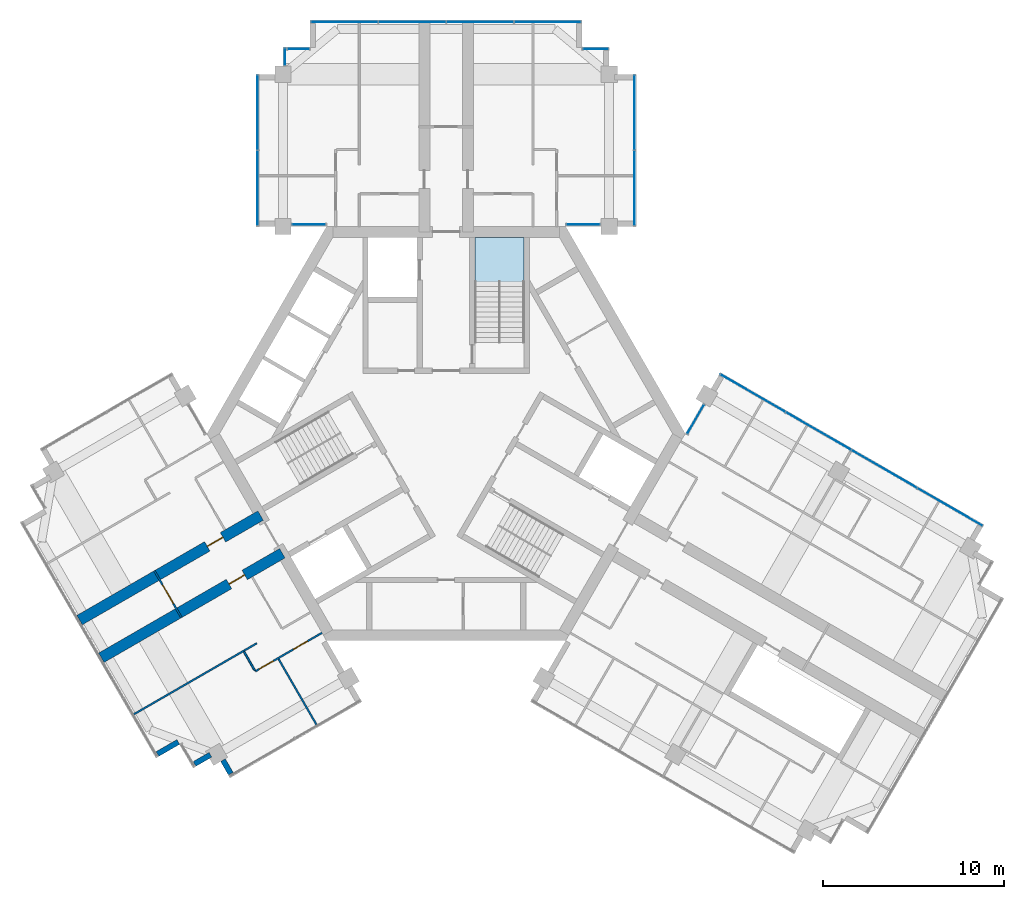
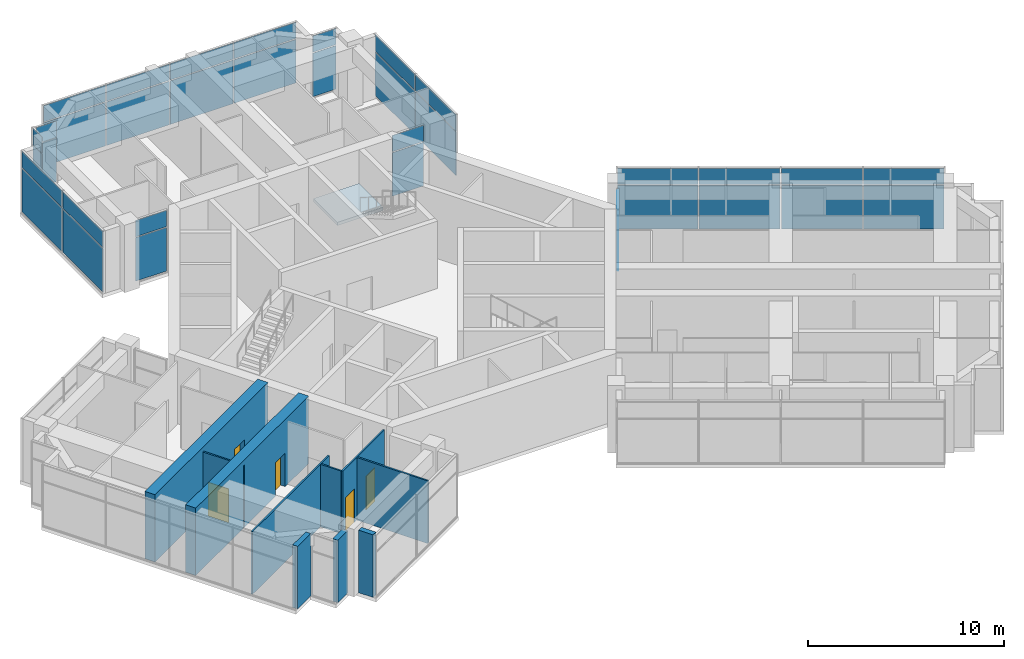
# One storey, part 8 of 14: 36 plates, 10 walls, 5 doors, 1 slab, 5 openings, 11 elements without a shape of their own.
"""IFC4 building model written with IfcOpenShell, lengths in metres."""

from ifc_helpers import new_model, si_unit, direction, frame, frame_2d, origin, origin_2d, place, context, subcontext, project, spatial, polyline, rectangle, outline, extrude, material, layer, layer_set, type_object, element, fill, aggregate, save


model = new_model("IFC4")

# Units and contexts
model_context = context("Model", 3, precision=1e-05, world=origin(), true_north=direction((0.0, 1.0)))
body_context = subcontext(model_context, "Body", "Model", "MODEL_VIEW")
ifc_project = project(units=[si_unit("LENGTHUNIT", "METRE"), si_unit("AREAUNIT", "SQUARE_METRE"), si_unit("VOLUMEUNIT", "CUBIC_METRE"), si_unit("PLANEANGLEUNIT", "RADIAN"), si_unit("MASSUNIT", "GRAM", prefix="KILO")], contexts=[model_context])

# Site, building, storey
site_placement = place(None, origin())
site = spatial("IfcSite", under=ifc_project, at=site_placement, CompositionType="ELEMENT")
building_placement = place(site_placement, origin())
building = spatial("IfcBuilding", under=site, at=building_placement, Name="Impinga Residences", CompositionType="ELEMENT")
storey_placement = place(building_placement, frame((0.0, 0.0, 291.550048828125)))
storey = spatial("IfcBuildingStorey", under=building, at=storey_placement, Name="L73", CompositionType="ELEMENT", Elevation=291.550048828125)

# Curtain wall, plates
ifc_material_1 = material(Name="Aluminium stick curtain wall", Category="aluminium")
curtain_wall_type = type_object("IfcCurtainWallType", Name="CW3 penthouse curtain wall", PredefinedType="USERDEFINED", material=ifc_material_1)
curtain_wall_1_placement = place(storey_placement, origin())
curtain_wall_1 = element("IfcCurtainWall", 1, at=curtain_wall_1_placement, inside=storey, type_object=curtain_wall_type, Name="Curtain wall CW3 L73", ObjectType="STICK CURTAIN WALL", PredefinedType="USERDEFINED")
ifc_material_2 = material(Name="Clear double glazing", Category="glass")
ifc_layer_1 = layer(ifc_material_2, 0.028076171875)
ifc_layer_set_1 = layer_set([ifc_layer_1], Name="CW3-P clear double glazed panel 28")
plate_type = type_object("IfcPlateType", Name="CW3-P clear double glazed panel 28", PredefinedType="CURTAIN_PANEL", material=ifc_layer_set_1)
plate_1_placement = place(storey_placement, frame((-7.573486328125, 11.531494140625, 0.06005859375), z_axis=(0.0, 0.0, 1.0), x_axis=(-1.0, 0.0, 0.0)))
plate_1 = element("IfcPlate", 2, at=plate_1_placement, type_object=plate_type, Name="CW3 panel 1.1", PredefinedType="CURTAIN_PANEL", context=body_context, shape_type="SweptSolid", body=[
    extrude(rectangle(XDim=1.826904296875, YDim=0.028076171875, at=origin_2d()), origin(), (0.0, 0.0, 1.0), 2.7099609375),
])
plate_2_placement = place(storey_placement, frame((-7.573486328125, 11.531494140625, 2.830078125), z_axis=(0.0, 0.0, 1.0), x_axis=(-1.0, 0.0, 0.0)))
plate_2 = element("IfcPlate", 3, at=plate_2_placement, type_object=plate_type, Name="CW3 panel 1.2", PredefinedType="CURTAIN_PANEL", context=body_context, shape_type="SweptSolid", body=[
    extrude(rectangle(XDim=1.826904296875, YDim=0.028076171875, at=origin_2d()), origin(), (0.0, 0.0, 1.0), 1.010009765625),
])
aggregate(curtain_wall_1, [plate_1, plate_2])

curtain_wall_2_placement = place(storey_placement, origin())
curtain_wall_2 = element("IfcCurtainWall", 4, at=curtain_wall_2_placement, inside=storey, type_object=curtain_wall_type, Name="Curtain wall CW3 L73", ObjectType="STICK CURTAIN WALL", PredefinedType="USERDEFINED")
plate_3_placement = place(storey_placement, frame((-10.39990234375, 13.546630859375, 0.06005859375), z_axis=(0.0, 0.0, 1.0), x_axis=(0.0, 1.0, 0.0)))
plate_3 = element("IfcPlate", 5, at=plate_3_placement, type_object=plate_type, Name="CW3 panel 1.1", PredefinedType="CURTAIN_PANEL", context=body_context, shape_type="SweptSolid", body=[
    extrude(rectangle(XDim=4.110107421875, YDim=0.028076171875, at=origin_2d()), origin(), (0.0, 0.0, 1.0), 2.7099609375),
])
plate_4_placement = place(storey_placement, frame((-10.39990234375, 13.546630859375, 2.830078125), z_axis=(0.0, 0.0, 1.0), x_axis=(0.0, 1.0, 0.0)))
plate_4 = element("IfcPlate", 6, at=plate_4_placement, type_object=plate_type, Name="CW3 panel 1.2", PredefinedType="CURTAIN_PANEL", context=body_context, shape_type="SweptSolid", body=[
    extrude(rectangle(XDim=4.110107421875, YDim=0.028076171875, at=origin_2d()), origin(), (0.0, 0.0, 1.0), 1.010009765625),
])
plate_5_placement = place(storey_placement, frame((-10.39990234375, 17.716552734375, 0.06005859375), z_axis=(0.0, 0.0, 1.0), x_axis=(0.0, 1.0, 0.0)))
plate_5 = element("IfcPlate", 7, at=plate_5_placement, type_object=plate_type, Name="CW3 panel 2.1", PredefinedType="CURTAIN_PANEL", context=body_context, shape_type="SweptSolid", body=[
    extrude(rectangle(XDim=4.110107421875, YDim=0.028076171875, at=origin_2d()), origin(), (0.0, 0.0, 1.0), 2.7099609375),
])
plate_6_placement = place(storey_placement, frame((-10.39990234375, 17.716552734375, 2.830078125), z_axis=(0.0, 0.0, 1.0), x_axis=(0.0, 1.0, 0.0)))
plate_6 = element("IfcPlate", 8, at=plate_6_placement, type_object=plate_type, Name="CW3 panel 2.2", PredefinedType="CURTAIN_PANEL", context=body_context, shape_type="SweptSolid", body=[
    extrude(rectangle(XDim=4.110107421875, YDim=0.028076171875, at=origin_2d()), origin(), (0.0, 0.0, 1.0), 1.010009765625),
])
aggregate(curtain_wall_2, [plate_3, plate_4, plate_5, plate_6])

curtain_wall_3_placement = place(storey_placement, origin())
curtain_wall_3 = element("IfcCurtainWall", 9, at=curtain_wall_3_placement, inside=storey, type_object=curtain_wall_type, Name="Curtain wall CW3 L73", ObjectType="STICK CURTAIN WALL", PredefinedType="USERDEFINED")
plate_7_placement = place(storey_placement, frame((-8.89990234375, 20.80810546875, 0.06005859375), z_axis=(0.0, 0.0, 1.0), x_axis=(0.0, 1.0, 0.0)))
plate_7 = element("IfcPlate", 10, at=plate_7_placement, type_object=plate_type, Name="CW3 panel 1.1", PredefinedType="CURTAIN_PANEL", context=body_context, shape_type="SweptSolid", body=[
    extrude(rectangle(XDim=0.927001953125, YDim=0.028076171875, at=origin_2d()), origin(), (0.0, 0.0, 1.0), 2.7099609375),
])
plate_8_placement = place(storey_placement, frame((-8.89990234375, 20.80810546875, 2.830078125), z_axis=(0.0, 0.0, 1.0), x_axis=(0.0, 1.0, 0.0)))
plate_8 = element("IfcPlate", 11, at=plate_8_placement, type_object=plate_type, Name="CW3 panel 1.2", PredefinedType="CURTAIN_PANEL", context=body_context, shape_type="SweptSolid", body=[
    extrude(rectangle(XDim=0.927001953125, YDim=0.028076171875, at=origin_2d()), origin(), (0.0, 0.0, 1.0), 1.010009765625),
])
aggregate(curtain_wall_3, [plate_7, plate_8])

curtain_wall_4_placement = place(storey_placement, origin())
curtain_wall_4 = element("IfcCurtainWall", 12, at=curtain_wall_4_placement, inside=storey, type_object=curtain_wall_type, Name="Curtain wall CW3 L73", ObjectType="STICK CURTAIN WALL", PredefinedType="USERDEFINED")
plate_9_placement = place(storey_placement, frame((-8.14990234375, 21.2314453125, 0.06005859375), z_axis=(0.0, 0.0, 1.0), x_axis=(1.0, 0.0, 0.0)))
plate_9 = element("IfcPlate", 13, at=plate_9_placement, type_object=plate_type, Name="CW3 panel 1.1", PredefinedType="CURTAIN_PANEL", context=body_context, shape_type="SweptSolid", body=[
    extrude(rectangle(XDim=1.179931640625, YDim=0.028076171875, at=origin_2d()), origin(), (0.0, 0.0, 1.0), 2.7099609375),
])
plate_10_placement = place(storey_placement, frame((-8.14990234375, 21.2314453125, 2.830078125), z_axis=(0.0, 0.0, 1.0), x_axis=(1.0, 0.0, 0.0)))
plate_10 = element("IfcPlate", 14, at=plate_10_placement, type_object=plate_type, Name="CW3 panel 1.2", PredefinedType="CURTAIN_PANEL", context=body_context, shape_type="SweptSolid", body=[
    extrude(rectangle(XDim=1.179931640625, YDim=0.028076171875, at=origin_2d()), origin(), (0.0, 0.0, 1.0), 1.010009765625),
])
aggregate(curtain_wall_4, [plate_9, plate_10])

curtain_wall_5_placement = place(storey_placement, origin())
curtain_wall_5 = element("IfcCurtainWall", 15, at=curtain_wall_5_placement, inside=storey, type_object=curtain_wall_type, Name="Curtain wall CW3 L73", ObjectType="STICK CURTAIN WALL", PredefinedType="USERDEFINED")
plate_11_placement = place(storey_placement, frame((-5.610107421875, 22.7314453125, 0.06005859375), z_axis=(0.0, 0.0, 1.0), x_axis=(1.0, 0.0, 0.0)))
plate_11 = element("IfcPlate", 16, at=plate_11_placement, type_object=plate_type, Name="CW3 panel 1.1", PredefinedType="CURTAIN_PANEL", context=body_context, shape_type="SweptSolid", body=[
    extrude(rectangle(XDim=3.659912109375, YDim=0.028076171875, at=origin_2d()), origin(), (0.0, 0.0, 1.0), 2.7099609375),
])
plate_12_placement = place(storey_placement, frame((-5.610107421875, 22.7314453125, 2.830078125), z_axis=(0.0, 0.0, 1.0), x_axis=(1.0, 0.0, 0.0)))
plate_12 = element("IfcPlate", 17, at=plate_12_placement, type_object=plate_type, Name="CW3 panel 1.2", PredefinedType="CURTAIN_PANEL", context=body_context, shape_type="SweptSolid", body=[
    extrude(rectangle(XDim=3.659912109375, YDim=0.028076171875, at=origin_2d()), origin(), (0.0, 0.0, 1.0), 1.010009765625),
])
plate_13_placement = place(storey_placement, frame((-1.875, 22.7314453125, 0.06005859375), z_axis=(0.0, 0.0, 1.0), x_axis=(1.0, 0.0, 0.0)))
plate_13 = element("IfcPlate", 18, at=plate_13_placement, type_object=plate_type, Name="CW3 panel 2.1", PredefinedType="CURTAIN_PANEL", context=body_context, shape_type="SweptSolid", body=[
    extrude(rectangle(XDim=3.68994140625, YDim=0.028076171875, at=origin_2d()), origin(), (0.0, 0.0, 1.0), 2.7099609375),
])
plate_14_placement = place(storey_placement, frame((-1.875, 22.7314453125, 2.830078125), z_axis=(0.0, 0.0, 1.0), x_axis=(1.0, 0.0, 0.0)))
plate_14 = element("IfcPlate", 19, at=plate_14_placement, type_object=plate_type, Name="CW3 panel 2.2", PredefinedType="CURTAIN_PANEL", context=body_context, shape_type="SweptSolid", body=[
    extrude(rectangle(XDim=3.68994140625, YDim=0.028076171875, at=origin_2d()), origin(), (0.0, 0.0, 1.0), 1.010009765625),
])
plate_15_placement = place(storey_placement, frame((1.875, 22.7314453125, 0.06005859375), z_axis=(0.0, 0.0, 1.0), x_axis=(1.0, 0.0, 0.0)))
plate_15 = element("IfcPlate", 20, at=plate_15_placement, type_object=plate_type, Name="CW3 panel 3.1", PredefinedType="CURTAIN_PANEL", context=body_context, shape_type="SweptSolid", body=[
    extrude(rectangle(XDim=3.68994140625, YDim=0.028076171875, at=origin_2d()), origin(), (0.0, 0.0, 1.0), 2.7099609375),
])
plate_16_placement = place(storey_placement, frame((1.875, 22.7314453125, 2.830078125), z_axis=(0.0, 0.0, 1.0), x_axis=(1.0, 0.0, 0.0)))
plate_16 = element("IfcPlate", 21, at=plate_16_placement, type_object=plate_type, Name="CW3 panel 3.2", PredefinedType="CURTAIN_PANEL", context=body_context, shape_type="SweptSolid", body=[
    extrude(rectangle(XDim=3.68994140625, YDim=0.028076171875, at=origin_2d()), origin(), (0.0, 0.0, 1.0), 1.010009765625),
])
plate_17_placement = place(storey_placement, frame((5.610107421875, 22.7314453125, 0.06005859375), z_axis=(0.0, 0.0, 1.0), x_axis=(1.0, 0.0, 0.0)))
plate_17 = element("IfcPlate", 22, at=plate_17_placement, type_object=plate_type, Name="CW3 panel 4.1", PredefinedType="CURTAIN_PANEL", context=body_context, shape_type="SweptSolid", body=[
    extrude(rectangle(XDim=3.659912109375, YDim=0.028076171875, at=origin_2d()), origin(), (0.0, 0.0, 1.0), 2.7099609375),
])
plate_18_placement = place(storey_placement, frame((5.610107421875, 22.7314453125, 2.830078125), z_axis=(0.0, 0.0, 1.0), x_axis=(1.0, 0.0, 0.0)))
plate_18 = element("IfcPlate", 23, at=plate_18_placement, type_object=plate_type, Name="CW3 panel 4.2", PredefinedType="CURTAIN_PANEL", context=body_context, shape_type="SweptSolid", body=[
    extrude(rectangle(XDim=3.659912109375, YDim=0.028076171875, at=origin_2d()), origin(), (0.0, 0.0, 1.0), 1.010009765625),
])
aggregate(curtain_wall_5, [plate_11, plate_12, plate_13, plate_14, plate_15, plate_16, plate_17, plate_18])

curtain_wall_6_placement = place(storey_placement, origin())
curtain_wall_6 = element("IfcCurtainWall", 24, at=curtain_wall_6_placement, inside=storey, type_object=curtain_wall_type, Name="Curtain wall CW3 L73", ObjectType="STICK CURTAIN WALL", PredefinedType="USERDEFINED")
plate_19_placement = place(storey_placement, frame((8.25, 21.2314453125, 0.06005859375), z_axis=(0.0, 0.0, 1.0), x_axis=(1.0, 0.0, 0.0)))
plate_19 = element("IfcPlate", 25, at=plate_19_placement, type_object=plate_type, Name="CW3 panel 1.1", PredefinedType="CURTAIN_PANEL", context=body_context, shape_type="SweptSolid", body=[
    extrude(rectangle(XDim=1.3798828125, YDim=0.028076171875, at=origin_2d()), origin(), (0.0, 0.0, 1.0), 2.7099609375),
])
plate_20_placement = place(storey_placement, frame((8.25, 21.2314453125, 2.830078125), z_axis=(0.0, 0.0, 1.0), x_axis=(1.0, 0.0, 0.0)))
plate_20 = element("IfcPlate", 26, at=plate_20_placement, type_object=plate_type, Name="CW3 panel 1.2", PredefinedType="CURTAIN_PANEL", context=body_context, shape_type="SweptSolid", body=[
    extrude(rectangle(XDim=1.3798828125, YDim=0.028076171875, at=origin_2d()), origin(), (0.0, 0.0, 1.0), 1.010009765625),
])
aggregate(curtain_wall_6, [plate_19, plate_20])

curtain_wall_7_placement = place(storey_placement, origin())
curtain_wall_7 = element("IfcCurtainWall", 27, at=curtain_wall_7_placement, inside=storey, type_object=curtain_wall_type, Name="Curtain wall CW3 L73", ObjectType="STICK CURTAIN WALL", PredefinedType="USERDEFINED")
plate_21_placement = place(storey_placement, frame((10.39990234375, 17.716552734375, 0.06005859375), z_axis=(0.0, 0.0, 1.0), x_axis=(0.0, -1.0, 0.0)))
plate_21 = element("IfcPlate", 28, at=plate_21_placement, type_object=plate_type, Name="CW3 panel 1.1", PredefinedType="CURTAIN_PANEL", context=body_context, shape_type="SweptSolid", body=[
    extrude(rectangle(XDim=4.110107421875, YDim=0.028076171875, at=origin_2d()), origin(), (0.0, 0.0, 1.0), 2.7099609375),
])
plate_22_placement = place(storey_placement, frame((10.39990234375, 17.716552734375, 2.830078125), z_axis=(0.0, 0.0, 1.0), x_axis=(0.0, -1.0, 0.0)))
plate_22 = element("IfcPlate", 29, at=plate_22_placement, type_object=plate_type, Name="CW3 panel 1.2", PredefinedType="CURTAIN_PANEL", context=body_context, shape_type="SweptSolid", body=[
    extrude(rectangle(XDim=4.110107421875, YDim=0.028076171875, at=origin_2d()), origin(), (0.0, 0.0, 1.0), 1.010009765625),
])
plate_23_placement = place(storey_placement, frame((10.39990234375, 13.546630859375, 0.06005859375), z_axis=(0.0, 0.0, 1.0), x_axis=(0.0, -1.0, 0.0)))
plate_23 = element("IfcPlate", 30, at=plate_23_placement, type_object=plate_type, Name="CW3 panel 2.1", PredefinedType="CURTAIN_PANEL", context=body_context, shape_type="SweptSolid", body=[
    extrude(rectangle(XDim=4.110107421875, YDim=0.028076171875, at=origin_2d()), origin(), (0.0, 0.0, 1.0), 2.7099609375),
])
plate_24_placement = place(storey_placement, frame((10.39990234375, 13.546630859375, 2.830078125), z_axis=(0.0, 0.0, 1.0), x_axis=(0.0, -1.0, 0.0)))
plate_24 = element("IfcPlate", 31, at=plate_24_placement, type_object=plate_type, Name="CW3 panel 2.2", PredefinedType="CURTAIN_PANEL", context=body_context, shape_type="SweptSolid", body=[
    extrude(rectangle(XDim=4.110107421875, YDim=0.028076171875, at=origin_2d()), origin(), (0.0, 0.0, 1.0), 1.010009765625),
])
aggregate(curtain_wall_7, [plate_21, plate_22, plate_23, plate_24])

curtain_wall_8_placement = place(storey_placement, origin())
curtain_wall_8 = element("IfcCurtainWall", 32, at=curtain_wall_8_placement, inside=storey, type_object=curtain_wall_type, Name="Curtain wall CW3 L73", ObjectType="STICK CURTAIN WALL", PredefinedType="USERDEFINED")
plate_25_placement = place(storey_placement, frame((7.573486328125, 11.531494140625, 0.06005859375), z_axis=(0.0, 0.0, 1.0), x_axis=(-1.0, 0.0, 0.0)))
plate_25 = element("IfcPlate", 33, at=plate_25_placement, type_object=plate_type, Name="CW3 panel 1.1", PredefinedType="CURTAIN_PANEL", context=body_context, shape_type="SweptSolid", body=[
    extrude(rectangle(XDim=1.826904296875, YDim=0.028076171875, at=origin_2d()), origin(), (0.0, 0.0, 1.0), 2.7099609375),
])
plate_26_placement = place(storey_placement, frame((7.573486328125, 11.531494140625, 2.830078125), z_axis=(0.0, 0.0, 1.0), x_axis=(-1.0, 0.0, 0.0)))
plate_26 = element("IfcPlate", 34, at=plate_26_placement, type_object=plate_type, Name="CW3 panel 1.2", PredefinedType="CURTAIN_PANEL", context=body_context, shape_type="SweptSolid", body=[
    extrude(rectangle(XDim=1.826904296875, YDim=0.028076171875, at=origin_2d()), origin(), (0.0, 0.0, 1.0), 1.010009765625),
])
aggregate(curtain_wall_8, [plate_25, plate_26])

curtain_wall_9_placement = place(storey_placement, origin())
curtain_wall_9 = element("IfcCurtainWall", 35, at=curtain_wall_9_placement, inside=storey, type_object=curtain_wall_type, Name="Curtain wall CW3 L73", ObjectType="STICK CURTAIN WALL", PredefinedType="USERDEFINED")
plate_27_placement = place(storey_placement, frame((13.7734375, 0.79296875, 0.06005859375), z_axis=(0.0, 0.0, 1.0), x_axis=(0.50000010257, 0.866025344565, 0.0)))
plate_27 = element("IfcPlate", 36, at=plate_27_placement, type_object=plate_type, Name="CW3 panel 1.1", PredefinedType="CURTAIN_PANEL", context=body_context, shape_type="SweptSolid", body=[
    extrude(rectangle(XDim=1.826904296875, YDim=0.028076171875, at=origin_2d()), origin(), (0.0, 0.0, 1.0), 2.7099609375),
])
plate_28_placement = place(storey_placement, frame((13.7734375, 0.79296875, 2.830078125), z_axis=(0.0, 0.0, 1.0), x_axis=(0.50000010257, 0.866025344565, 0.0)))
plate_28 = element("IfcPlate", 37, at=plate_28_placement, type_object=plate_type, Name="CW3 panel 1.2", PredefinedType="CURTAIN_PANEL", context=body_context, shape_type="SweptSolid", body=[
    extrude(rectangle(XDim=1.826904296875, YDim=0.028076171875, at=origin_2d()), origin(), (0.0, 0.0, 1.0), 1.010009765625),
])
aggregate(curtain_wall_9, [plate_27, plate_28])

curtain_wall_10_placement = place(storey_placement, origin())
curtain_wall_10 = element("IfcCurtainWall", 38, at=curtain_wall_10_placement, inside=storey, type_object=curtain_wall_type, Name="Curtain wall CW3 L73", ObjectType="STICK CURTAIN WALL", PredefinedType="USERDEFINED")
plate_29_placement = place(storey_placement, frame((16.931640625, 2.2333984375, 0.06005859375), z_axis=(0.0, 0.0, 1.0), x_axis=(0.866025407005, -0.499999994423, 0.0)))
plate_29 = element("IfcPlate", 39, at=plate_29_placement, type_object=plate_type, Name="CW3 panel 1.1", PredefinedType="CURTAIN_PANEL", context=body_context, shape_type="SweptSolid", body=[
    extrude(rectangle(XDim=4.110107421875, YDim=0.028076171875, at=origin_2d()), origin(), (0.0, 0.0, 1.0), 2.7099609375),
])
plate_30_placement = place(storey_placement, frame((16.931640625, 2.2333984375, 2.830078125), z_axis=(0.0, 0.0, 1.0), x_axis=(0.866025407005, -0.499999994423, 0.0)))
plate_30 = element("IfcPlate", 40, at=plate_30_placement, type_object=plate_type, Name="CW3 panel 1.2", PredefinedType="CURTAIN_PANEL", context=body_context, shape_type="SweptSolid", body=[
    extrude(rectangle(XDim=4.110107421875, YDim=0.028076171875, at=origin_2d()), origin(), (0.0, 0.0, 1.0), 1.010009765625),
])
plate_31_placement = place(storey_placement, frame((20.555908203125, 0.140869140625, 0.06005859375), z_axis=(0.0, 0.0, 1.0), x_axis=(0.866025407005, -0.499999994423, 0.0)))
plate_31 = element("IfcPlate", 41, at=plate_31_placement, type_object=plate_type, Name="CW3 panel 2.1", PredefinedType="CURTAIN_PANEL", context=body_context, shape_type="SweptSolid", body=[
    extrude(rectangle(XDim=4.139892578125, YDim=0.028076171875, at=origin_2d()), origin(), (0.0, 0.0, 1.0), 2.7099609375),
])
plate_32_placement = place(storey_placement, frame((20.555908203125, 0.140869140625, 2.830078125), z_axis=(0.0, 0.0, 1.0), x_axis=(0.866025407005, -0.499999994423, 0.0)))
plate_32 = element("IfcPlate", 42, at=plate_32_placement, type_object=plate_type, Name="CW3 panel 2.2", PredefinedType="CURTAIN_PANEL", context=body_context, shape_type="SweptSolid", body=[
    extrude(rectangle(XDim=4.139892578125, YDim=0.028076171875, at=origin_2d()), origin(), (0.0, 0.0, 1.0), 1.010009765625),
])
plate_33_placement = place(storey_placement, frame((24.193359375, -1.958984375, 0.06005859375), z_axis=(0.0, 0.0, 1.0), x_axis=(0.866025407005, -0.499999994423, 0.0)))
plate_33 = element("IfcPlate", 43, at=plate_33_placement, type_object=plate_type, Name="CW3 panel 3.1", PredefinedType="CURTAIN_PANEL", context=body_context, shape_type="SweptSolid", body=[
    extrude(rectangle(XDim=4.139892578125, YDim=0.028076171875, at=origin_2d()), origin(), (0.0, 0.0, 1.0), 2.7099609375),
])
plate_34_placement = place(storey_placement, frame((24.193359375, -1.958984375, 2.830078125), z_axis=(0.0, 0.0, 1.0), x_axis=(0.866025407005, -0.499999994423, 0.0)))
plate_34 = element("IfcPlate", 44, at=plate_34_placement, type_object=plate_type, Name="CW3 panel 3.2", PredefinedType="CURTAIN_PANEL", context=body_context, shape_type="SweptSolid", body=[
    extrude(rectangle(XDim=4.139892578125, YDim=0.028076171875, at=origin_2d()), origin(), (0.0, 0.0, 1.0), 1.010009765625),
])
plate_35_placement = place(storey_placement, frame((27.817626953125, -4.051513671875, 0.06005859375), z_axis=(0.0, 0.0, 1.0), x_axis=(0.866025407005, -0.499999994423, 0.0)))
plate_35 = element("IfcPlate", 45, at=plate_35_placement, type_object=plate_type, Name="CW3 panel 4.1", PredefinedType="CURTAIN_PANEL", context=body_context, shape_type="SweptSolid", body=[
    extrude(rectangle(XDim=4.110107421875, YDim=0.028076171875, at=origin_2d()), origin(), (0.0, 0.0, 1.0), 2.7099609375),
])
plate_36_placement = place(storey_placement, frame((27.817626953125, -4.051513671875, 2.830078125), z_axis=(0.0, 0.0, 1.0), x_axis=(0.866025407005, -0.499999994423, 0.0)))
plate_36 = element("IfcPlate", 46, at=plate_36_placement, type_object=plate_type, Name="CW3 panel 4.2", PredefinedType="CURTAIN_PANEL", context=body_context, shape_type="SweptSolid", body=[
    extrude(rectangle(XDim=4.110107421875, YDim=0.028076171875, at=origin_2d()), origin(), (0.0, 0.0, 1.0), 1.010009765625),
])
aggregate(curtain_wall_10, [plate_29, plate_30, plate_31, plate_32, plate_33, plate_34, plate_35, plate_36])

# Stair, slab
ifc_material_3 = material(Name="Concrete C40/50", Category="concrete")
stair_type = type_object("IfcStairType", Name="STR core stair 4200 storey, 26 risers", PredefinedType="HALF_TURN_STAIR", material=ifc_material_3)
stair_placement = place(storey_placement, origin())
stair = element("IfcStair", 47, at=stair_placement, inside=storey, type_object=stair_type, Name="Stair ST1 L73", PredefinedType="HALF_TURN_STAIR")
ifc_layer_2 = layer(ifc_material_3, 0.199951171875)
ifc_layer_set_2 = layer_set([ifc_layer_2], Name="Concrete C40/50")
slab_type = type_object("IfcSlabType", Name="LS1 stair landing 200", PredefinedType="LANDING", material=ifc_layer_set_2)
slab_placement = place(storey_placement, frame((0.0, 0.0, 1.89990234375)))
slab = element("IfcSlab", 48, at=slab_placement, type_object=slab_type, Name="ST1 landing 2", PredefinedType="LANDING", context=body_context, shape_type="SweptSolid", body=[
    extrude(outline(polyline([(1.60009765625, 8.3798828125), (4.300048828125, 8.3798828125), (4.300048828125, 10.83154296875), (1.60009765625, 10.83154296875), (1.60009765625, 8.3798828125)])), origin(), (0.0, 0.0, 1.0), 0.199951171875),
])
aggregate(stair, [slab])

# Wall, opening, door
ifc_material_4 = material(Name="Concrete C60/75", Category="concrete")
ifc_layer_3 = layer(ifc_material_4, 0.60009765625)
ifc_layer_set_3 = layer_set([ifc_layer_3], Name="Concrete C60/75")
wall_type_1 = type_object("IfcWallType", Name="BW3 corridor buttress wall, L46 to L73 600", PredefinedType="SHEAR", material=ifc_layer_set_3)
wall_1_placement = place(storey_placement, frame((-9.040283203125, -6.60498046875, 0.0), z_axis=(0.0, 0.0, 1.0), x_axis=(-0.866023496323, -0.500003303805, 0.0)))
wall_1 = element("IfcWall", 49, at=wall_1_placement, inside=storey, type_object=wall_type_1, Name="Corridor wall BW3 WC L73", PredefinedType="SHEAR", context=body_context, shape_type="SweptSolid", body=[
    extrude(rectangle(XDim=11.5380859375, YDim=0.60009765625, at=frame_2d((5.76904296875, 0.0))), origin(), (0.0, 0.0, 1.0), 4.199951171875),
])
opening_1_placement = place(wall_1_placement, frame((2.39990234375, 0.0, 0.0)))
opening_1 = element("IfcOpeningElement", 50, at=opening_1_placement, cuts=wall_1, Name="Opening D1", PredefinedType="OPENING", context=body_context, shape_type="SweptSolid", body=[
    extrude(rectangle(XDim=1.0, YDim=2.10009765625, at=frame_2d((0.5, 1.050048828125))), frame((0.0, 0.31005859375, 0.0), z_axis=(0.0, -1.0, 0.0), x_axis=(1.0, 0.0, 0.0)), (0.0, 0.0, 1.0), 0.6201171875),
])
ifc_material_5 = material(Name="Timber door set", Category="wood")
door_type_1 = type_object("IfcDoorType", Name="D1 apartment entrance door 1000x2100", OperationType="SINGLE_SWING_LEFT", PredefinedType="DOOR", material=ifc_material_5)
door_1_placement = place(opening_1_placement, origin())
door_1 = element("IfcDoor", 51, at=door_1_placement, inside=storey, type_object=door_type_1, Name="Apartment L73-WA1 entrance", OperationType="SINGLE_SWING_LEFT", OverallHeight=2.10009765625, OverallWidth=1.0, PredefinedType="DOOR", context=body_context, shape_type="SweptSolid", body=[
    extrude(rectangle(XDim=1.0, YDim=2.10009765625, at=frame_2d((0.5, 1.050048828125))), frame((0.0, 0.02490234375, 0.0), z_axis=(0.0, -1.0, 0.0), x_axis=(1.0, 0.0, 0.0)), (0.0, 0.0, 1.0), 0.050048828125),
])
fill(opening_1, door_1)

wall_2_placement = place(storey_placement, frame((-10.240234375, -4.526611328125, 0.0), z_axis=(0.0, 0.0, 1.0), x_axis=(-0.866023496323, -0.500003303805, 0.0)))
wall_2 = element("IfcWall", 52, at=wall_2_placement, inside=storey, type_object=wall_type_1, Name="Corridor wall BW3 WD L73", PredefinedType="SHEAR", context=body_context, shape_type="SweptSolid", body=[
    extrude(rectangle(XDim=11.5380859375, YDim=0.60009765625, at=frame_2d((5.76904296875, 0.0))), origin(), (0.0, 0.0, 1.0), 4.199951171875),
])
opening_2_placement = place(wall_2_placement, frame((2.39990234375, 0.0, 0.0)))
opening_2 = element("IfcOpeningElement", 53, at=opening_2_placement, cuts=wall_2, Name="Opening D1", PredefinedType="OPENING", context=body_context, shape_type="SweptSolid", body=[
    extrude(rectangle(XDim=1.0, YDim=2.10009765625, at=frame_2d((0.5, 1.050048828125))), frame((0.0, 0.31005859375, 0.0), z_axis=(0.0, -1.0, 0.0), x_axis=(1.0, 0.0, 0.0)), (0.0, 0.0, 1.0), 0.6201171875),
])
door_2_placement = place(opening_2_placement, origin())
door_2 = element("IfcDoor", 54, at=door_2_placement, inside=storey, type_object=door_type_1, Name="Apartment L73-WF1 entrance", OperationType="SINGLE_SWING_LEFT", OverallHeight=2.10009765625, OverallWidth=1.0, PredefinedType="DOOR", context=body_context, shape_type="SweptSolid", body=[
    extrude(rectangle(XDim=1.0, YDim=2.10009765625, at=frame_2d((0.5, 1.050048828125))), frame((0.0, 0.02490234375, 0.0), z_axis=(0.0, -1.0, 0.0), x_axis=(1.0, 0.0, 0.0)), (0.0, 0.0, 1.0), 0.050048828125),
])
fill(opening_2, door_2)

ifc_material_6 = material(Name="Concrete blockwork", Category="masonry")
ifc_layer_4 = layer(ifc_material_6, 0.10009765625)
ifc_layer_set_4 = layer_set([ifc_layer_4], Name="CP1 core room partition, blockwork 100")
wall_type_2 = type_object("IfcWallType", Name="CP1 core room partition, blockwork 100", PredefinedType="PARTITIONING", material=ifc_layer_set_4)
wall_3_placement = place(storey_placement, frame((-14.60595703125, -10.164794921875, 0.0), z_axis=(0.0, 0.0, 1.0), x_axis=(-0.499990139034, 0.866031096941, 0.0)))
wall_3 = element("IfcWall", 55, at=wall_3_placement, inside=storey, type_object=wall_type_2, Name="Core room partition, blockwork L73:W:LNG", PredefinedType="PARTITIONING", context=body_context, shape_type="SweptSolid", body=[
    extrude(rectangle(XDim=3.0, YDim=0.10009765625, at=frame_2d((1.5, 0.0))), origin(), (0.0, 0.0, 1.0), 3.89990234375),
])
opening_3_placement = place(wall_3_placement, frame((0.89990234375, 0.0, 0.0)))
opening_3 = element("IfcOpeningElement", 56, at=opening_3_placement, cuts=wall_3, Name="Opening D3", PredefinedType="OPENING", context=body_context, shape_type="SweptSolid", body=[
    extrude(rectangle(XDim=1.199951171875, YDim=2.10009765625, at=frame_2d((0.60009765625, 1.050048828125))), frame((0.0, 0.06005859375, 0.0), z_axis=(0.0, -1.0, 0.0), x_axis=(1.0, 0.0, 0.0)), (0.0, 0.0, 1.0), 0.1201171875),
])
door_type_2 = type_object("IfcDoorType", Name="D3 room door, leaf and a half 1200x2100", OperationType="DOUBLE_SWING_LEFT", PredefinedType="DOOR", material=ifc_material_5)
door_3_placement = place(opening_3_placement, origin())
door_3 = element("IfcDoor", 57, at=door_3_placement, inside=storey, type_object=door_type_2, Name="Residents' lounge door W", OperationType="DOUBLE_SWING_LEFT", OverallHeight=2.10009765625, OverallWidth=1.199951171875, PredefinedType="DOOR", context=body_context, shape_type="SweptSolid", body=[
    extrude(rectangle(XDim=1.199951171875, YDim=2.10009765625, at=frame_2d((0.60009765625, 1.050048828125))), frame((0.0, 0.02490234375, 0.0), z_axis=(0.0, -1.0, 0.0), x_axis=(1.0, 0.0, 0.0)), (0.0, 0.0, 1.0), 0.050048828125),
])
fill(opening_3, door_3)

# Walls
ifc_material_7 = material(Name="Stone facing on blockwork", Category="masonry")
ifc_layer_5 = layer(ifc_material_7, 0.300048828125)
ifc_layer_set_5 = layer_set([ifc_layer_5], Name="EW2 external wall, stone facing on blockwork 300")
wall_type_3 = type_object("IfcWallType", Name="EW2 external wall, stone facing on blockwork 300", PredefinedType="SOLIDWALL", material=ifc_layer_set_5)
wall_4_placement = place(storey_placement, frame((-11.88720703125, -18.77392578125, 0.0), z_axis=(0.0, 0.0, 1.0), x_axis=(-0.499885902046, 0.866091268248, 0.0)))
element("IfcWall", 58, at=wall_4_placement, inside=storey, type_object=wall_type_3, Name="External wall EW2 L73", PredefinedType="SOLIDWALL", context=body_context, shape_type="SweptSolid", body=[
    extrude(rectangle(XDim=0.862060546875, YDim=0.300048828125, at=frame_2d((0.43115234375, 0.0))), origin(), (0.0, 0.0, 1.0), 3.89990234375),
])
wall_5_placement = place(storey_placement, frame((-13.009521484375, -17.72998046875, 0.0), z_axis=(0.0, 0.0, 1.0), x_axis=(-0.865969252911, -0.500097243556, 0.0)))
element("IfcWall", 59, at=wall_5_placement, inside=storey, type_object=wall_type_3, Name="External wall EW2 L73", PredefinedType="SOLIDWALL", context=body_context, shape_type="SweptSolid", body=[
    extrude(rectangle(XDim=1.014892578125, YDim=0.300048828125, at=frame_2d((0.50732421875, 0.0))), origin(), (0.0, 0.0, 1.0), 3.89990234375),
])
wall_6_placement = place(storey_placement, frame((-14.78564453125, -17.0234375, 0.0), z_axis=(0.0, 0.0, 1.0), x_axis=(-0.866020521143, -0.500008456887, 0.0)))
element("IfcWall", 60, at=wall_6_placement, inside=storey, type_object=wall_type_3, Name="External wall EW2 L73", PredefinedType="SOLIDWALL", context=body_context, shape_type="SweptSolid", body=[
    extrude(rectangle(XDim=1.330078125, YDim=0.300048828125, at=frame_2d((0.6650390625, 0.0))), origin(), (0.0, 0.0, 1.0), 3.89990234375),
])
ifc_material_8 = material(Name="Gypsum board on steel studs", Category="steel")
ifc_layer_6 = layer(ifc_material_8, 0.10009765625)
ifc_layer_set_6 = layer_set([ifc_layer_6], Name="Gypsum board on steel studs")
wall_type_4 = type_object("IfcWallType", Name="IP1 partition 100", PredefinedType="PARTITIONING", material=ifc_layer_set_6)
wall_7_placement = place(storey_placement, frame((-10.444580078125, -11.57275390625, 0.0), z_axis=(0.0, 0.0, 1.0), x_axis=(-0.866022168049, -0.500005604417, 0.0)))
element("IfcWall", 61, at=wall_7_placement, inside=storey, type_object=wall_type_4, Name="Partition L73-WA1:DIV1", PredefinedType="PARTITIONING", context=body_context, shape_type="SweptSolid", body=[
    extrude(rectangle(XDim=7.8369140625, YDim=0.10009765625, at=frame_2d((3.91845703125, 0.0))), origin(), (0.0, 0.0, 1.0), 3.89990234375),
])

# Wall, openings, doors
wall_8_placement = place(storey_placement, frame((-6.85009765625, -10.99853515625, 0.0), z_axis=(0.0, 0.0, 1.0), x_axis=(-0.866014341725, -0.50001915956, 0.0)))
wall_8 = element("IfcWall", 62, at=wall_8_placement, inside=storey, type_object=wall_type_4, Name="Partition L73-WA1:STRIP", PredefinedType="PARTITIONING", context=body_context, shape_type="SweptSolid", body=[
    extrude(rectangle(XDim=4.249755859375, YDim=0.10009765625, at=frame_2d((2.125, 0.0))), origin(), (0.0, 0.0, 1.0), 3.89990234375),
])
opening_4_placement = place(wall_8_placement, frame((0.925048828125, 0.0, 0.0)))
opening_4 = element("IfcOpeningElement", 63, at=opening_4_placement, cuts=wall_8, Name="Opening D2", PredefinedType="OPENING", context=body_context, shape_type="SweptSolid", body=[
    extrude(rectangle(XDim=0.89990234375, YDim=2.10009765625, at=frame_2d((0.449951171875, 1.050048828125))), frame((0.0, 0.06005859375, 0.0), z_axis=(0.0, -1.0, 0.0), x_axis=(1.0, 0.0, 0.0)), (0.0, 0.0, 1.0), 0.1201171875),
])
opening_5_placement = place(wall_8_placement, frame((3.10009765625, 0.0, 0.0)))
opening_5 = element("IfcOpeningElement", 64, at=opening_5_placement, cuts=wall_8, Name="Opening D2", PredefinedType="OPENING", context=body_context, shape_type="SweptSolid", body=[
    extrude(rectangle(XDim=0.89990234375, YDim=2.10009765625, at=frame_2d((0.449951171875, 1.050048828125))), frame((0.0, 0.06005859375, 0.0), z_axis=(0.0, -1.0, 0.0), x_axis=(1.0, 0.0, 0.0)), (0.0, 0.0, 1.0), 0.1201171875),
])
door_type_3 = type_object("IfcDoorType", Name="D2 internal door 900x2100", OperationType="SINGLE_SWING_LEFT", PredefinedType="DOOR", material=ifc_material_5)
door_4_placement = place(opening_4_placement, origin())
door_4 = element("IfcDoor", 65, at=door_4_placement, inside=storey, type_object=door_type_3, Name="Apartment L73-WA1 room door", OperationType="SINGLE_SWING_LEFT", OverallHeight=2.10009765625, OverallWidth=0.89990234375, PredefinedType="DOOR", context=body_context, shape_type="SweptSolid", body=[
    extrude(rectangle(XDim=0.89990234375, YDim=2.10009765625, at=frame_2d((0.449951171875, 1.050048828125))), frame((0.0, 0.02490234375, 0.0), z_axis=(0.0, -1.0, 0.0), x_axis=(1.0, 0.0, 0.0)), (0.0, 0.0, 1.0), 0.050048828125),
])
fill(opening_4, door_4)
door_5_placement = place(opening_5_placement, origin())
door_5 = element("IfcDoor", 66, at=door_5_placement, inside=storey, type_object=door_type_3, Name="Apartment L73-WA1 room door", OperationType="SINGLE_SWING_RIGHT", OverallHeight=2.10009765625, OverallWidth=0.89990234375, PredefinedType="DOOR", context=body_context, shape_type="SweptSolid", body=[
    extrude(rectangle(XDim=0.89990234375, YDim=2.10009765625, at=frame_2d((0.449951171875, 1.050048828125))), frame((0.0, 0.02490234375, 0.0), z_axis=(0.0, -1.0, 0.0), x_axis=(1.0, 0.0, 0.0)), (0.0, 0.0, 1.0), 0.050048828125),
])
fill(opening_5, door_5)

# Walls
wall_9_placement = place(storey_placement, frame((-11.155517578125, -12.041015625, 0.0), z_axis=(0.0, 0.0, 1.0), x_axis=(0.499880961361, -0.866094119867, 0.0)))
element("IfcWall", 67, at=wall_9_placement, inside=storey, type_object=wall_type_4, Name="Partition L73-WA1:SE1", PredefinedType="PARTITIONING", context=body_context, shape_type="SweptSolid", body=[
    extrude(rectangle(XDim=1.199951171875, YDim=0.10009765625, at=frame_2d((0.60009765625, 0.0))), origin(), (0.0, 0.0, 1.0), 3.89990234375),
])
wall_10_placement = place(storey_placement, frame((-9.249755859375, -12.44189453125, 0.0), z_axis=(0.0, 0.0, 1.0), x_axis=(0.500008475426, -0.86602051044, 0.0)))
element("IfcWall", 68, at=wall_10_placement, inside=storey, type_object=wall_type_4, Name="Partition L73-WA1:OB1", PredefinedType="PARTITIONING", context=body_context, shape_type="SweptSolid", body=[
    extrude(rectangle(XDim=4.18701171875, YDim=0.10009765625, at=frame_2d((2.093505859375, 0.0))), origin(), (0.0, 0.0, 1.0), 3.89990234375),
])

save(model, "model.ifc")
